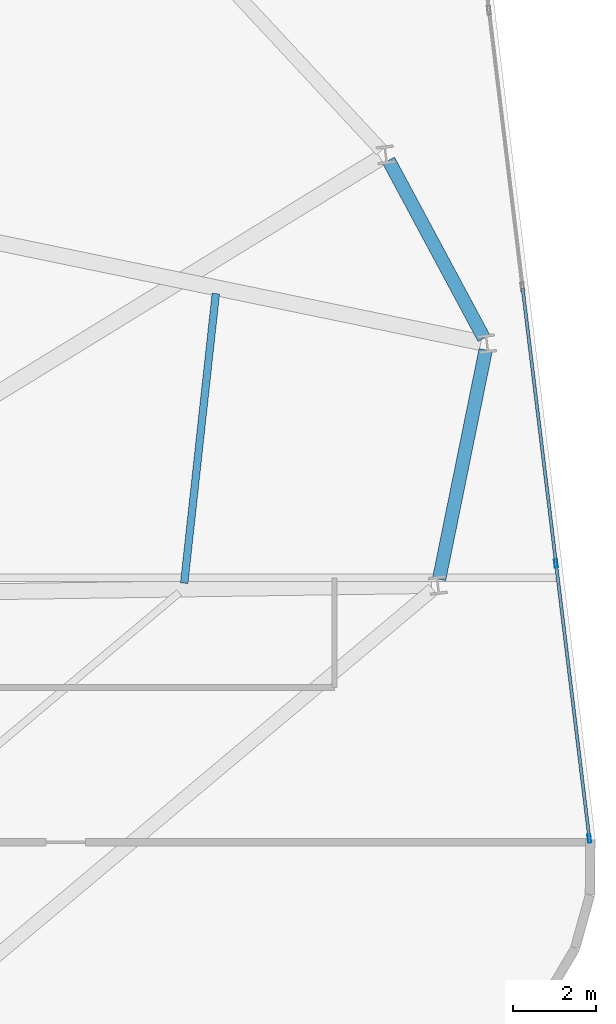
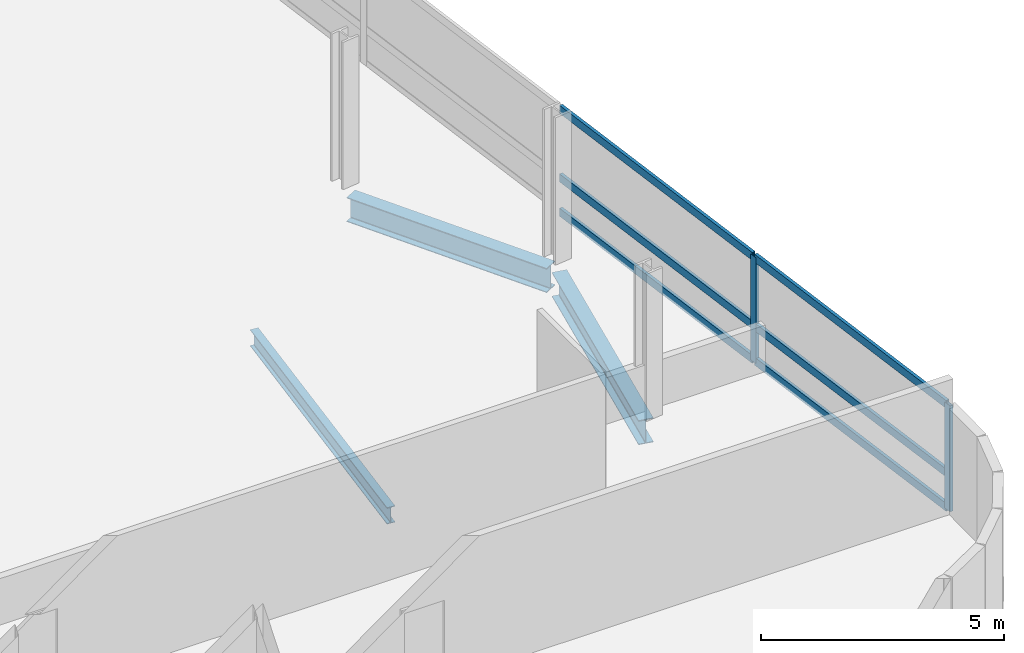
# One storey, part 10 of 22: 8 members, 3 beams, 1 element without a shape of its own.
"""IFC4 building model written with IfcOpenShell, lengths in metres."""

from ifc_helpers import new_model, si_unit, direction, frame, origin, origin_2d, place, context, subcontext, project, spatial, hollow_rectangle, i_section, extrude, material, layer, layer_set, material_profile, profile_set, type_object, element, aggregate, save


model = new_model("IFC4")

# Units and contexts
model_context = context("Model", 3, precision=1e-05, world=origin(), true_north=direction((0.0, 1.0)))
body_context = subcontext(model_context, "Body", "Model", "MODEL_VIEW")
ifc_project = project(units=[si_unit("LENGTHUNIT", "METRE"), si_unit("AREAUNIT", "SQUARE_METRE"), si_unit("VOLUMEUNIT", "CUBIC_METRE"), si_unit("PLANEANGLEUNIT", "RADIAN"), si_unit("MASSUNIT", "GRAM", prefix="KILO")], contexts=[model_context])

# Site, building, storey
site_placement = place(None, origin())
site = spatial("IfcSite", under=ifc_project, at=site_placement, CompositionType="ELEMENT")
building_placement = place(site_placement, origin())
building = spatial("IfcBuilding", under=site, at=building_placement, Name="Varnelok Gate Tower", CompositionType="ELEMENT")
storey_placement = place(building_placement, frame((0.0, 0.0, 204.199951171875)))
storey = spatial("IfcBuildingStorey", under=building, at=storey_placement, Name="L52", CompositionType="ELEMENT", Elevation=204.199951171875)

# Beams
ifc_material_1 = material(Name="Structural Steel ASTM A992 Grade 50", Category="steel")
ifc_material_profile_1 = material_profile(ifc_material_1, i_section(OverallWidth=0.180908203125, OverallDepth=0.4169921875, WebThickness=0.010986328125, FlangeThickness=0.018310546875, FilletRadius=0.013916015625, at=origin_2d()), Name="W16X57")
ifc_profile_set_1 = profile_set([ifc_material_profile_1], Name="Structural Steel ASTM A992 Grade 50")
beam_type_1 = type_object("IfcBeamType", Name="BM-JST-W16X57", PredefinedType="JOIST", material=ifc_profile_set_1)
beam_1_placement = place(storey_placement, frame((66.394775390625, 19.11279296875, -0.45849609375), z_axis=(0.108570611671, 0.994088739641, 0.0), x_axis=(-0.994088739641, 0.108570611671, 0.0)))
element("IfcBeam", 1, at=beam_1_placement, inside=storey, type_object=beam_type_1, Name="L52 Sector Floor Joist 6", PredefinedType="JOIST", context=body_context, shape_type="SweptSolid", body=[
    extrude(i_section(OverallWidth=0.180908203125, OverallDepth=0.4169921875, WebThickness=0.010986328125, FlangeThickness=0.018310546875, FilletRadius=0.013916015625, at=origin_2d()), origin(), (0.0, 0.0, 1.0), 6.984375),
])
ifc_material_profile_2 = material_profile(ifc_material_1, i_section(OverallWidth=0.323974609375, OverallDepth=0.611083984375, WebThickness=0.0126953125, FlangeThickness=0.01904296875, FilletRadius=0.01806640625, at=origin_2d()), Name="W24X104")
ifc_profile_set_2 = profile_set([ifc_material_profile_2], Name="Structural Steel ASTM A992 Grade 50")
beam_type_2 = type_object("IfcBeamType", Name="BM-SPN-W24X104", PredefinedType="SPANDREL", material=ifc_profile_set_2)
beam_2_placement = place(storey_placement, frame((72.5068359375, 19.206298828125, -0.555419921875), z_axis=(0.19911018886, 0.979977108249, 0.0), x_axis=(-0.979977108249, 0.19911018886, 0.0)))
element("IfcBeam", 2, at=beam_2_placement, inside=storey, type_object=beam_type_2, Name="L52 Perimeter Spandrel Beam 6", PredefinedType="SPANDREL", context=body_context, shape_type="SweptSolid", body=[
    extrude(i_section(OverallWidth=0.323974609375, OverallDepth=0.611083984375, WebThickness=0.0126953125, FlangeThickness=0.01904296875, FilletRadius=0.01806640625, at=origin_2d()), origin(), (0.0, 0.0, 1.0), 5.612060546875),
])
beam_3_placement = place(storey_placement, frame((73.583251953125, 24.9853515625, -0.555419921875), z_axis=(-0.472471917257, 0.881345725242, 0.0), x_axis=(-0.881345725242, -0.472471917257, 0.0)))
element("IfcBeam", 3, at=beam_3_placement, inside=storey, type_object=beam_type_2, Name="L52 Perimeter Spandrel Beam 7", PredefinedType="SPANDREL", context=body_context, shape_type="SweptSolid", body=[
    extrude(i_section(OverallWidth=0.323974609375, OverallDepth=0.611083984375, WebThickness=0.0126953125, FlangeThickness=0.01904296875, FilletRadius=0.01806640625, at=origin_2d()), origin(), (0.0, 0.0, 1.0), 4.8408203125),
])

# Curtain wall, members
ifc_material_2 = material(Name="Anodized Aluminum Alloy 6063-T6", Category="aluminium")
ifc_layer = layer(ifc_material_2, 0.179931640625)
ifc_layer_set = layer_set([ifc_layer], Name="Anodized Aluminum Alloy 6063-T6")
curtain_wall_type = type_object("IfcCurtainWallType", Name="CW4-RESIDENCE-VISION", PredefinedType="USERDEFINED", material=ifc_layer_set)
curtain_wall_placement = place(storey_placement, origin())
curtain_wall = element("IfcCurtainWall", 4, at=curtain_wall_placement, inside=storey, type_object=curtain_wall_type, Name="L52 East End Vision Curtain Wall", ObjectType="UNITISED CURTAIN WALL", PredefinedType="USERDEFINED")
ifc_material_profile_3 = material_profile(ifc_material_2, hollow_rectangle(XDim=0.074951171875, YDim=0.199951171875, WallThickness=0.00390625, at=origin_2d()), Name="ALU200X75X4")
ifc_profile_set_3 = profile_set([ifc_material_profile_3], Name="Anodized Aluminum Alloy 6063-T6")
member_type_1 = type_object("IfcMemberType", Name="CW-MULL-200", PredefinedType="MULLION", material=ifc_profile_set_3)
member_1_placement = place(storey_placement, frame((75.310302734375, 19.584228515625, 0.0), z_axis=(0.0, 0.0, 1.0), x_axis=(0.992732188751, 0.120344511371, 0.0)))
member_1 = element("IfcMember", 5, at=member_1_placement, type_object=member_type_1, Name="CW4 mullion 5", PredefinedType="MULLION", context=body_context, shape_type="SweptSolid", body=[
    extrude(hollow_rectangle(XDim=0.074951171875, YDim=0.199951171875, WallThickness=0.00390625, at=origin_2d()), origin(), (0.0, 0.0, 1.0), 2.66015625),
])
member_2_placement = place(storey_placement, frame((76.109619140625, 12.989990234375, 0.0), z_axis=(0.0, 0.0, 1.0), x_axis=(0.992732188751, 0.120344511371, 0.0)))
member_2 = element("IfcMember", 6, at=member_2_placement, type_object=member_type_1, Name="CW4 mullion 6", PredefinedType="MULLION", context=body_context, shape_type="SweptSolid", body=[
    extrude(hollow_rectangle(XDim=0.074951171875, YDim=0.199951171875, WallThickness=0.00390625, at=origin_2d()), origin(), (0.0, 0.0, 1.0), 2.66015625),
])
ifc_material_profile_4 = material_profile(ifc_material_2, hollow_rectangle(XDim=0.074951171875, YDim=0.199951171875, WallThickness=0.00390625, at=origin_2d()), Name="ALU200X75X4")
ifc_profile_set_4 = profile_set([ifc_material_profile_4], Name="Anodized Aluminum Alloy 6063-T6")
member_type_2 = type_object("IfcMemberType", Name="CW-TRAN-200", PredefinedType="USERDEFINED", material=ifc_profile_set_4)
member_3_placement = place(storey_placement, frame((74.510986328125, 26.178466796875, 0.03759765625), z_axis=(0.120349029092, -0.992731641078, 0.0), x_axis=(0.992731641078, 0.120349029092, 0.0)))
member_3 = element("IfcMember", 7, at=member_3_placement, type_object=member_type_2, Name="CW4 transom 4.1", ObjectType="TRANSOM", PredefinedType="USERDEFINED", context=body_context, shape_type="SweptSolid", body=[
    extrude(hollow_rectangle(XDim=0.074951171875, YDim=0.199951171875, WallThickness=0.00390625, at=origin_2d()), origin(), (0.0, 0.0, 1.0), 6.605224609375),
])
member_4_placement = place(storey_placement, frame((74.510986328125, 26.178466796875, 0.900146484375), z_axis=(0.120349029092, -0.992731641078, 0.0), x_axis=(0.992731641078, 0.120349029092, 0.0)))
member_4 = element("IfcMember", 8, at=member_4_placement, type_object=member_type_2, Name="CW4 transom 4.2", ObjectType="TRANSOM", PredefinedType="USERDEFINED", context=body_context, shape_type="SweptSolid", body=[
    extrude(hollow_rectangle(XDim=0.074951171875, YDim=0.199951171875, WallThickness=0.00390625, at=origin_2d()), origin(), (0.0, 0.0, 1.0), 6.605224609375),
])
member_5_placement = place(storey_placement, frame((74.510986328125, 26.178466796875, 2.62255859375), z_axis=(0.120349029092, -0.992731641078, 0.0), x_axis=(0.992731641078, 0.120349029092, 0.0)))
member_5 = element("IfcMember", 9, at=member_5_placement, type_object=member_type_2, Name="CW4 transom 4.3", ObjectType="TRANSOM", PredefinedType="USERDEFINED", context=body_context, shape_type="SweptSolid", body=[
    extrude(hollow_rectangle(XDim=0.074951171875, YDim=0.199951171875, WallThickness=0.00390625, at=origin_2d()), origin(), (0.0, 0.0, 1.0), 6.605224609375),
])
member_6_placement = place(storey_placement, frame((75.314697265625, 19.546875, 0.03759765625), z_axis=(0.120369113246, -0.992729206066, 0.0), x_axis=(0.992729206066, 0.120369113246, 0.0)))
member_6 = element("IfcMember", 10, at=member_6_placement, type_object=member_type_2, Name="CW4 transom 5.1", ObjectType="TRANSOM", PredefinedType="USERDEFINED", context=body_context, shape_type="SweptSolid", body=[
    extrude(hollow_rectangle(XDim=0.074951171875, YDim=0.199951171875, WallThickness=0.00390625, at=origin_2d()), origin(), (0.0, 0.0, 1.0), 6.567626953125),
])
member_7_placement = place(storey_placement, frame((75.314697265625, 19.546875, 0.900146484375), z_axis=(0.120369113246, -0.992729206066, 0.0), x_axis=(0.992729206066, 0.120369113246, 0.0)))
member_7 = element("IfcMember", 11, at=member_7_placement, type_object=member_type_2, Name="CW4 transom 5.2", ObjectType="TRANSOM", PredefinedType="USERDEFINED", context=body_context, shape_type="SweptSolid", body=[
    extrude(hollow_rectangle(XDim=0.074951171875, YDim=0.199951171875, WallThickness=0.00390625, at=origin_2d()), origin(), (0.0, 0.0, 1.0), 6.567626953125),
])
member_8_placement = place(storey_placement, frame((75.314697265625, 19.546875, 2.62255859375), z_axis=(0.120369113246, -0.992729206066, 0.0), x_axis=(0.992729206066, 0.120369113246, 0.0)))
member_8 = element("IfcMember", 12, at=member_8_placement, type_object=member_type_2, Name="CW4 transom 5.3", ObjectType="TRANSOM", PredefinedType="USERDEFINED", context=body_context, shape_type="SweptSolid", body=[
    extrude(hollow_rectangle(XDim=0.074951171875, YDim=0.199951171875, WallThickness=0.00390625, at=origin_2d()), origin(), (0.0, 0.0, 1.0), 6.567626953125),
])
aggregate(curtain_wall, [member_1, member_2, member_3, member_4, member_5, member_6, member_7, member_8])

save(model, "model.ifc")
